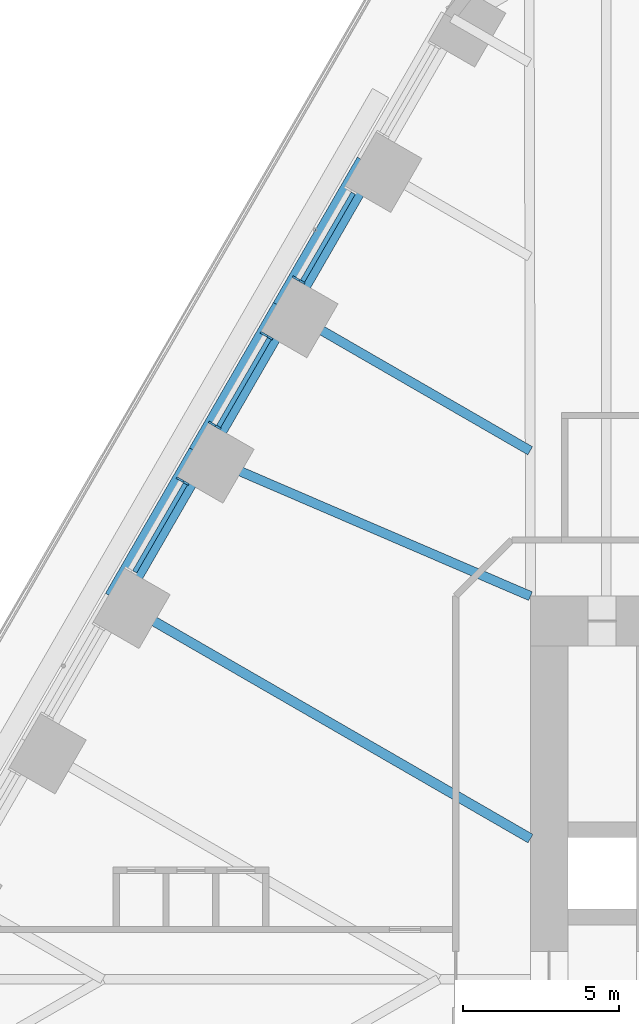
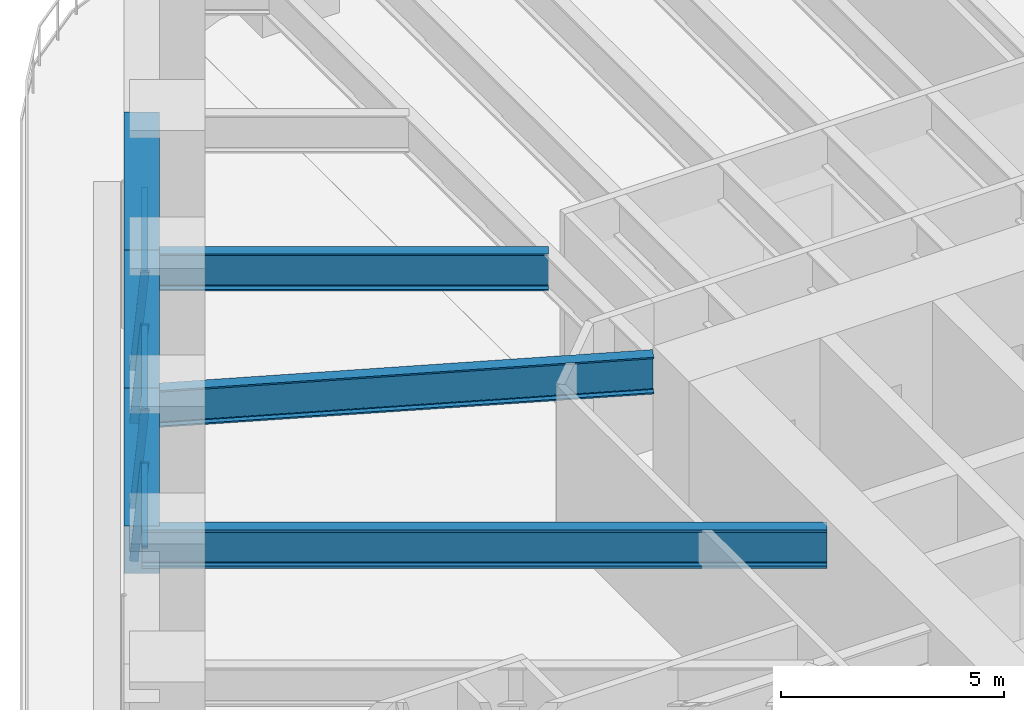
# One storey, part 8 of 23: 7 members, 6 beams, 3 elements without a shape of their own.
"""IFC4 building model written with IfcOpenShell, lengths in metres."""

import ifcopenshell
import ifcopenshell.guid

model = None  # the IFC model being written
_history = None  # IfcOwnerHistory: only IFC2X3 demands one
_inside = {}  # id of a spatial element -> (the spatial element, [elements in it])
_under = {}  # id of a project, library or spatial element -> (it, [spatial elements below it])
_declared = {}  # id of a project -> (the project, [libraries it declares])
_typed = {}  # id of a type object -> (the type object, [elements of that type])
_made_of = {}  # id of a material, layer set ... -> (it, [elements and type objects made of it])


def new_model(schema):
    """Start an empty IFC model of exactly this schema.

    Asked for "IFC4X3", IfcOpenShell would pick the latest addendum, in which some entities
    have other attributes; the version numbers below select the first issue.
    IFC2X3 requires an IfcOwnerHistory on every rooted entity: one is made here for all.
    """
    global model, _history
    if schema == "IFC4X3":
        model = ifcopenshell.file(schema_version=(4, 3, 0, 0))
    else:
        model = ifcopenshell.file(schema=schema)
    _inside.clear()
    _under.clear()
    _declared.clear()
    _typed.clear()
    _made_of.clear()
    _history = None
    if model.schema == "IFC2X3":
        org = make("IfcOrganization", Name="unknown")
        user = make(
            "IfcPersonAndOrganization",
            ThePerson=make("IfcPerson", FamilyName="unknown"),
            TheOrganization=org,
        )
        app = make(
            "IfcApplication",
            ApplicationDeveloper=org,
            Version="unknown",
            ApplicationFullName="unknown",
            ApplicationIdentifier="unknown",
        )
        _history = make(
            "IfcOwnerHistory",
            OwningUser=user,
            OwningApplication=app,
            ChangeAction="ADDED",
            CreationDate=0,
        )
    return model


def make(cls, **values):
    """One entity of the class cls with the attributes given. An attribute that is None is left unset."""
    return model.create_entity(
        cls, **{name: value for name, value in values.items() if value is not None}
    )


def rooted(cls, **values):
    """An entity with a GlobalId (a new one), such as an element, a storey or a relation."""
    return make(cls, GlobalId=ifcopenshell.guid.new(), OwnerHistory=_history, **values)


def si_unit(unit_type, name, prefix=None):
    """IfcSIUnit, for example si_unit("LENGTHUNIT", "METRE", prefix="MILLI")."""
    return make("IfcSIUnit", UnitType=unit_type, Prefix=prefix, Name=name)


def assignment(units):
    """IfcUnitAssignment: the units of a project."""
    return None if units is None else make("IfcUnitAssignment", Units=units)


def point(xyz):
    """IfcCartesianPoint."""
    return None if xyz is None else make("IfcCartesianPoint", Coordinates=xyz)


def direction(xyz):
    """IfcDirection."""
    return None if xyz is None else make("IfcDirection", DirectionRatios=xyz)


def frame(location, z_axis=None, x_axis=None):
    """IfcAxis2Placement3D, a coordinate frame: its origin and axes. An axis left out is left unset."""
    return make(
        "IfcAxis2Placement3D",
        Location=point(location),
        Axis=direction(z_axis),
        RefDirection=direction(x_axis),
    )


def frame_2d(location, x_axis=None):
    """IfcAxis2Placement2D, a coordinate frame in the plane: its origin and x axis."""
    return make(
        "IfcAxis2Placement2D", Location=point(location), RefDirection=direction(x_axis)
    )


def origin():
    """The frame at (0, 0, 0) with its axes left unset."""
    return frame((0.0, 0.0, 0.0))


def origin_2d():
    """The frame at (0, 0) in the plane with its x axis left unset."""
    return frame_2d((0.0, 0.0))


def place(relative_to, where):
    """IfcLocalPlacement: puts the frame where relative to a parent placement (None: the world)."""
    return make(
        "IfcLocalPlacement", PlacementRelTo=relative_to, RelativePlacement=where
    )


def context(
    kind, dimensions, precision=None, world=None, true_north=None, identifier=None
):
    """IfcGeometricRepresentationContext, for example the 3D "Model" context."""
    return make(
        "IfcGeometricRepresentationContext",
        ContextIdentifier=identifier,
        ContextType=kind,
        CoordinateSpaceDimension=dimensions,
        Precision=precision,
        WorldCoordinateSystem=world,
        TrueNorth=true_north,
    )


def subcontext(parent, identifier, kind, view, scale=None):
    """IfcGeometricRepresentationSubContext, for example "Body" below "Model"."""
    return make(
        "IfcGeometricRepresentationSubContext",
        ContextIdentifier=identifier,
        ContextType=kind,
        ParentContext=parent,
        TargetScale=scale,
        TargetView=view,
    )


def project(units=None, contexts=None):
    """IfcProject with its units and contexts."""
    return rooted(
        "IfcProject",
        Name="project",
        RepresentationContexts=contexts,
        UnitsInContext=assignment(units),
    )


def spatial(cls, under=None, at=None, **own):
    """A site, building, storey or space (cls), placed at a placement, below another one or the project."""
    s = rooted(cls, ObjectPlacement=at, **own)
    if under is not None:
        _under.setdefault(under.id(), (under, []))[1].append(s)
    return s


def profile(cls, at=None, kind="AREA", **sizes):
    """A parametric profile (cls). Its sizes go by their IFC names, for example OverallWidth=200.0."""
    return make(cls, ProfileType=kind, Position=at, **sizes)


def rectangle(**sizes):
    """IfcRectangleProfileDef."""
    return profile("IfcRectangleProfileDef", **sizes)


def i_section(**sizes):
    """IfcIShapeProfileDef."""
    return profile("IfcIShapeProfileDef", **sizes)


def extrude(swept, where, along, depth):
    """IfcExtrudedAreaSolid: the profile swept, set in the frame where, extruded along a direction by depth."""
    return make(
        "IfcExtrudedAreaSolid",
        SweptArea=swept,
        Position=where,
        ExtrudedDirection=direction(along),
        Depth=depth,
    )


def shape(context_of_items, identifier, shape_type, items):
    """IfcShapeRepresentation: the items that make up one representation, for example the "Body"."""
    return make(
        "IfcShapeRepresentation",
        ContextOfItems=context_of_items,
        RepresentationIdentifier=identifier,
        RepresentationType=shape_type,
        Items=items,
    )


def material(Name=None, Category=None):
    """IfcMaterial."""
    return make("IfcMaterial", Name=Name, Category=Category)


def material_profile(
    of_material, cross_section, Name=None, Category=None, Priority=None
):
    """IfcMaterialProfile: a cross section and its material."""
    return make(
        "IfcMaterialProfile",
        Name=Name,
        Material=of_material,
        Profile=cross_section,
        Priority=Priority,
        Category=Category,
    )


def profile_set(profiles, Name=None, composite=None):
    """IfcMaterialProfileSet."""
    return make(
        "IfcMaterialProfileSet",
        Name=Name,
        MaterialProfiles=profiles,
        CompositeProfile=composite,
    )


def made_of(thing, what):
    """Note that an element or type object is made of a material, layer set ...; save() writes the relation."""
    if what is not None:
        _made_of.setdefault(what.id(), (what, []))[1].append(thing)
    return thing


def type_object(cls, material=None, **own):
    """A type object (cls), such as IfcWallType, which elements share."""
    return made_of(rooted(cls, **own), material)


def element(
    cls,
    number,
    at=None,
    inside=None,
    cuts=None,
    type_object=None,
    material=None,
    context=None,
    identifier="Body",
    shape_type=None,
    held_by="IfcProductDefinitionShape",
    body=None,
    shapes=None,
    **own,
):
    """One element of the class cls, such as IfcWall. Its Tag is "e" and its number.

    at: its placement. inside: the storey or other place that contains it. cuts: it is an
    opening in that element (IfcRelVoidsElement). A single representation is given by context,
    identifier, shape_type and body (its items); several are given by shapes. held_by: the class
    of the entity that holds the representations. save() writes the other relations.
    """
    e = rooted(cls, Tag="e%d" % number, ObjectPlacement=at, **own)
    if body is not None:
        shapes = [shape(context, identifier, shape_type, body)]
    if shapes is not None:
        e.Representation = make(held_by, Representations=shapes)
    if inside is not None:
        _inside.setdefault(inside.id(), (inside, []))[1].append(e)
    if cuts is not None:
        rooted(
            "IfcRelVoidsElement", RelatingBuildingElement=cuts, RelatedOpeningElement=e
        )
    if type_object is not None:
        _typed.setdefault(type_object.id(), (type_object, []))[1].append(e)
    return made_of(e, material)


def aggregate(whole, parts):
    """IfcRelAggregates: a whole, such as a stair, and the parts it consists of."""
    return rooted("IfcRelAggregates", RelatingObject=whole, RelatedObjects=parts)


def save(model, path):
    """Write the relations noted so far, then the file.

    IfcRelAggregates (storeys below a building ...), IfcRelContainedInSpatialStructure (elements
    in a storey), IfcRelDefinesByType, IfcRelAssociatesMaterial and IfcRelDeclares: one each for
    every whole, place, type object, material and project.
    """
    for whole, parts in _under.values():
        aggregate(whole, parts)
    for where, things in _inside.values():
        rooted(
            "IfcRelContainedInSpatialStructure",
            RelatedElements=things,
            RelatingStructure=where,
        )
    for kind, things in _typed.values():
        rooted("IfcRelDefinesByType", RelatedObjects=things, RelatingType=kind)
    for what, things in _made_of.values():
        rooted("IfcRelAssociatesMaterial", RelatedObjects=things, RelatingMaterial=what)
    for by, libraries in _declared.values():
        rooted("IfcRelDeclares", RelatingContext=by, RelatedDefinitions=libraries)
    model.write(path)


model = new_model("IFC4")

# Units and contexts
model_context = context("Model", 3, precision=1e-05, world=origin(), true_north=direction((0.0, 1.0)))
body_context = subcontext(model_context, "Body", "Model", "MODEL_VIEW")
ifc_project = project(units=[si_unit("LENGTHUNIT", "METRE"), si_unit("AREAUNIT", "SQUARE_METRE"), si_unit("VOLUMEUNIT", "CUBIC_METRE"), si_unit("PLANEANGLEUNIT", "RADIAN"), si_unit("MASSUNIT", "GRAM", prefix="KILO")], contexts=[model_context])

# Site, building, storey
site_placement = place(None, origin())
site = spatial("IfcSite", under=ifc_project, at=site_placement, CompositionType="ELEMENT")
building_placement = place(site_placement, origin())
building = spatial("IfcBuilding", under=site, at=building_placement, Name="Tarfa Lantern Tower", CompositionType="ELEMENT")
storey_placement = place(building_placement, frame((0.0, 0.0, 82.300048828125)))
storey = spatial("IfcBuildingStorey", under=building, at=storey_placement, Name="L18", CompositionType="ELEMENT", Elevation=82.300048828125)

# Curtain wall, member
ifc_material_1 = material(Name="Aluminium framed curtain wall", Category="aluminium")
curtain_wall_type = type_object("IfcCurtainWallType", Name="CW1 CANTED GLAZING LOW ZONE 2700", PredefinedType="USERDEFINED", material=ifc_material_1)
curtain_wall_1_placement = place(storey_placement, origin())
curtain_wall_1 = element("IfcCurtainWall", 1, at=curtain_wall_1_placement, inside=storey, type_object=curtain_wall_type, Name="CW1 NW L18", ObjectType="CURTAIN WALL", PredefinedType="USERDEFINED")
ifc_material_2 = material(Name="Aluminium mullion", Category="aluminium")
ifc_material_profile_1 = material_profile(ifc_material_2, rectangle(XDim=0.06494140625, YDim=0.199951171875, at=origin_2d()), Name="AL MULLION 65x200")
ifc_profile_set_1 = profile_set([ifc_material_profile_1], Name="Aluminium mullion")
member_type_1 = type_object("IfcMemberType", Name="CWM1 MULLION 65x200", PredefinedType="MULLION", material=ifc_profile_set_1)
member_1_placement = place(storey_placement, frame((-26.147705078125, 22.5107421875, 0.0), z_axis=(0.07986442134, -0.046099868913, 0.99573916077), x_axis=(0.499919672301, 0.866071776036, 0.0)))
member_1 = element("IfcMember", 2, at=member_1_placement, type_object=member_type_1, Name="CW1 mullion 2", PredefinedType="MULLION", context=body_context, shape_type="SweptSolid", body=[
    extrude(rectangle(XDim=0.06494140625, YDim=0.199951171875, at=origin_2d()), origin(), (0.0, 0.0, 1.0), 2.71142578125),
])

# Curtain wall, members
curtain_wall_2_placement = place(storey_placement, origin())
curtain_wall_2 = element("IfcCurtainWall", 3, at=curtain_wall_2_placement, inside=storey, type_object=curtain_wall_type, Name="CW1 NW L18", ObjectType="CURTAIN WALL", PredefinedType="USERDEFINED")
member_2_placement = place(storey_placement, frame((-27.18017578125, 20.722412109375, 0.0), z_axis=(0.07986442134, -0.046099868913, 0.99573916077), x_axis=(0.499919672301, 0.866071776036, 0.0)))
member_2 = element("IfcMember", 4, at=member_2_placement, type_object=member_type_1, Name="CW1 mullion 1", PredefinedType="MULLION", context=body_context, shape_type="SweptSolid", body=[
    extrude(rectangle(XDim=0.06494140625, YDim=0.199951171875, at=origin_2d()), origin(), (0.0, 0.0, 1.0), 2.71142578125),
])
member_3_placement = place(storey_placement, frame((-28.842041015625, 17.84423828125, 0.0), z_axis=(0.07986442134, -0.046099868913, 0.99573916077), x_axis=(0.499919672301, 0.866071776036, 0.0)))
member_3 = element("IfcMember", 5, at=member_3_placement, type_object=member_type_1, Name="CW1 mullion 2", PredefinedType="MULLION", context=body_context, shape_type="SweptSolid", body=[
    extrude(rectangle(XDim=0.06494140625, YDim=0.199951171875, at=origin_2d()), origin(), (0.0, 0.0, 1.0), 2.71142578125),
])

# Curtain wall, member
curtain_wall_3_placement = place(storey_placement, origin())
curtain_wall_3 = element("IfcCurtainWall", 6, at=curtain_wall_3_placement, inside=storey, type_object=curtain_wall_type, Name="CW1 NW L18", ObjectType="CURTAIN WALL", PredefinedType="USERDEFINED")
member_4_placement = place(storey_placement, frame((-29.87451171875, 16.055908203125, 0.0), z_axis=(0.07986442134, -0.046099868913, 0.99573916077), x_axis=(0.499919672301, 0.866071776036, 0.0)))
member_4 = element("IfcMember", 7, at=member_4_placement, type_object=member_type_1, Name="CW1 mullion 1", PredefinedType="MULLION", context=body_context, shape_type="SweptSolid", body=[
    extrude(rectangle(XDim=0.06494140625, YDim=0.199951171875, at=origin_2d()), origin(), (0.0, 0.0, 1.0), 2.71142578125),
])

# Member
ifc_material_3 = material(Name="Aluminium transom", Category="aluminium")
ifc_material_profile_2 = material_profile(ifc_material_3, rectangle(XDim=0.14990234375, YDim=0.06494140625, at=origin_2d()), Name="AL TRANSOM 150x65")
ifc_profile_set_2 = profile_set([ifc_material_profile_2], Name="Aluminium transom")
member_type_2 = type_object("IfcMemberType", Name="CWT1 TRANSOM 150x65", PredefinedType="USERDEFINED", material=ifc_profile_set_2)
member_5_placement = place(storey_placement, frame((-24.288330078125, 25.237548828125, 2.66748046875), z_axis=(-0.499966746847, -0.86604460165, 0.0), x_axis=(0.86604460165, -0.499966746847, 0.0)))
member_5 = element("IfcMember", 8, at=member_5_placement, type_object=member_type_2, Name="CW1 transom 1.2", ObjectType="TRANSOM", PredefinedType="USERDEFINED", context=body_context, shape_type="SweptSolid", body=[
    extrude(rectangle(XDim=0.14990234375, YDim=0.06494140625, at=origin_2d()), origin(), (0.0, 0.0, 1.0), 3.258544921875),
])

aggregate(curtain_wall_1, [member_1, member_5])

member_6_placement = place(storey_placement, frame((-26.982666015625, 20.57080078125, 2.66748046875), z_axis=(-0.499966746847, -0.86604460165, 0.0), x_axis=(0.86604460165, -0.499966746847, 0.0)))
member_6 = element("IfcMember", 9, at=member_6_placement, type_object=member_type_2, Name="CW1 transom 1.2", ObjectType="TRANSOM", PredefinedType="USERDEFINED", context=body_context, shape_type="SweptSolid", body=[
    extrude(rectangle(XDim=0.14990234375, YDim=0.06494140625, at=origin_2d()), origin(), (0.0, 0.0, 1.0), 3.258544921875),
])

aggregate(curtain_wall_2, [member_2, member_3, member_6])

member_7_placement = place(storey_placement, frame((-29.6767578125, 15.904296875, 2.66748046875), z_axis=(-0.500022939057, -0.866012159509, 0.0), x_axis=(0.866012159509, -0.500022939057, 0.0)))
member_7 = element("IfcMember", 10, at=member_7_placement, type_object=member_type_2, Name="CW1 transom 1.2", ObjectType="TRANSOM", PredefinedType="USERDEFINED", context=body_context, shape_type="SweptSolid", body=[
    extrude(rectangle(XDim=0.14990234375, YDim=0.06494140625, at=origin_2d()), origin(), (0.0, 0.0, 1.0), 3.258544921875),
])

aggregate(curtain_wall_3, [member_4, member_7])

# Beams
ifc_material_4 = material(Name="Concrete C80/95", Category="concrete")
ifc_material_profile_3 = material_profile(ifc_material_4, rectangle(XDim=0.800048828125, YDim=1.300048828125, at=origin_2d()), Name="RC 800x1300")
ifc_profile_set_3 = profile_set([ifc_material_profile_3], Name="Concrete C80/95")
beam_type_1 = type_object("IfcBeamType", Name="EB1 RC 800x1300", PredefinedType="SPANDREL", material=ifc_profile_set_3)
beam_1_placement = place(storey_placement, frame((-23.813720703125, 26.193359375, 3.349853515625), z_axis=(-0.499998287579, -0.866026392449, 0.0), x_axis=(0.866026392449, -0.499998287579, 0.0)))
element("IfcBeam", 11, at=beam_1_placement, inside=storey, type_object=beam_type_1, Name="Edge beam NW1", PredefinedType="SPANDREL", context=body_context, shape_type="SweptSolid", body=[
    extrude(rectangle(XDim=0.800048828125, YDim=1.300048828125, at=origin_2d()), origin(), (0.0, 0.0, 1.0), 5.388671875),
])
beam_2_placement = place(storey_placement, frame((-26.508056640625, 21.526611328125, 3.349853515625), z_axis=(-0.500017906299, -0.866015065331, 0.0), x_axis=(0.866015065331, -0.500017906299, 0.0)))
element("IfcBeam", 12, at=beam_2_placement, inside=storey, type_object=beam_type_1, Name="Edge beam NW2", PredefinedType="SPANDREL", context=body_context, shape_type="SweptSolid", body=[
    extrude(rectangle(XDim=0.800048828125, YDim=1.300048828125, at=origin_2d()), origin(), (0.0, 0.0, 1.0), 5.388427734375),
])
beam_3_placement = place(storey_placement, frame((-29.202392578125, 16.860107421875, 3.349853515625), z_axis=(-0.499998287579, -0.866026392449, 0.0), x_axis=(0.866026392449, -0.499998287579, 0.0)))
element("IfcBeam", 13, at=beam_3_placement, inside=storey, type_object=beam_type_1, Name="Edge beam NW3", PredefinedType="SPANDREL", context=body_context, shape_type="SweptSolid", body=[
    extrude(rectangle(XDim=0.800048828125, YDim=1.300048828125, at=origin_2d()), origin(), (0.0, 0.0, 1.0), 5.388671875),
])
ifc_material_5 = material(Name="Steel S460M", Category="steel")
ifc_material_profile_4 = material_profile(ifc_material_5, i_section(OverallWidth=0.302001953125, OverallDepth=1.008056640625, WebThickness=0.02099609375, FlangeThickness=0.0400390625, FilletRadius=0.030029296875, at=origin_2d()), Name="UB1016x305x349")
ifc_profile_set_4 = profile_set([ifc_material_profile_4], Name="Steel S460M")
beam_type_2 = type_object("IfcBeamType", Name="UB1016x305x349", PredefinedType="BEAM", material=ifc_profile_set_4)
beam_4_placement = place(storey_placement, frame((-26.508056640625, 21.526611328125, 3.495849609375), z_axis=(0.866035355799, -0.49998276221, 0.0), x_axis=(0.49998276221, 0.866035355799, 0.0)))
element("IfcBeam", 14, at=beam_4_placement, inside=storey, type_object=beam_type_2, Name="Floor beam NW2", PredefinedType="BEAM", context=body_context, shape_type="SweptSolid", body=[
    extrude(i_section(OverallWidth=0.302001953125, OverallDepth=1.008056640625, WebThickness=0.02099609375, FlangeThickness=0.0400390625, FilletRadius=0.030029296875, at=origin_2d()), origin(), (0.0, 0.0, 1.0), 9.119873046875),
])
beam_5_placement = place(storey_placement, frame((-29.202392578125, 16.860107421875, 3.495849609375), z_axis=(0.918635483867, -0.395106122175, 0.0), x_axis=(0.395106122175, 0.918635483867, 0.0)))
element("IfcBeam", 15, at=beam_5_placement, inside=storey, type_object=beam_type_2, Name="Floor beam NW3", PredefinedType="BEAM", context=body_context, shape_type="SweptSolid", body=[
    extrude(i_section(OverallWidth=0.302001953125, OverallDepth=1.008056640625, WebThickness=0.02099609375, FlangeThickness=0.0400390625, FilletRadius=0.030029296875, at=origin_2d()), origin(), (0.0, 0.0, 1.0), 11.541259765625),
])
ifc_material_profile_5 = material_profile(ifc_material_5, i_section(OverallWidth=0.314208984375, OverallDepth=1.055908203125, WebThickness=0.035888671875, FlangeThickness=0.06396484375, FilletRadius=0.030029296875, at=origin_2d()), Name="UB1016x305x584")
ifc_profile_set_5 = profile_set([ifc_material_profile_5], Name="Steel S460M")
beam_type_3 = type_object("IfcBeamType", Name="UB1016x305x584", PredefinedType="BEAM", material=ifc_profile_set_5)
beam_6_placement = place(storey_placement, frame((-31.896728515625, 12.193359375, 3.471923828125), z_axis=(0.866026971665, -0.499997284341, 0.0), x_axis=(0.499997284341, 0.866026971665, 0.0)))
element("IfcBeam", 16, at=beam_6_placement, inside=storey, type_object=beam_type_3, Name="Floor beam NW4", PredefinedType="BEAM", context=body_context, shape_type="SweptSolid", body=[
    extrude(i_section(OverallWidth=0.314208984375, OverallDepth=1.055908203125, WebThickness=0.035888671875, FlangeThickness=0.06396484375, FilletRadius=0.030029296875, at=origin_2d()), origin(), (0.0, 0.0, 1.0), 15.353515625),
])

save(model, "model.ifc")
